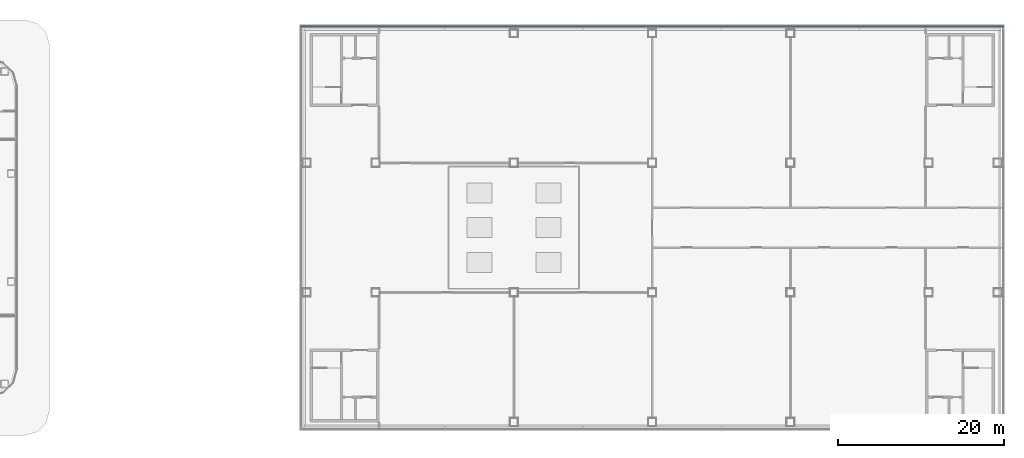
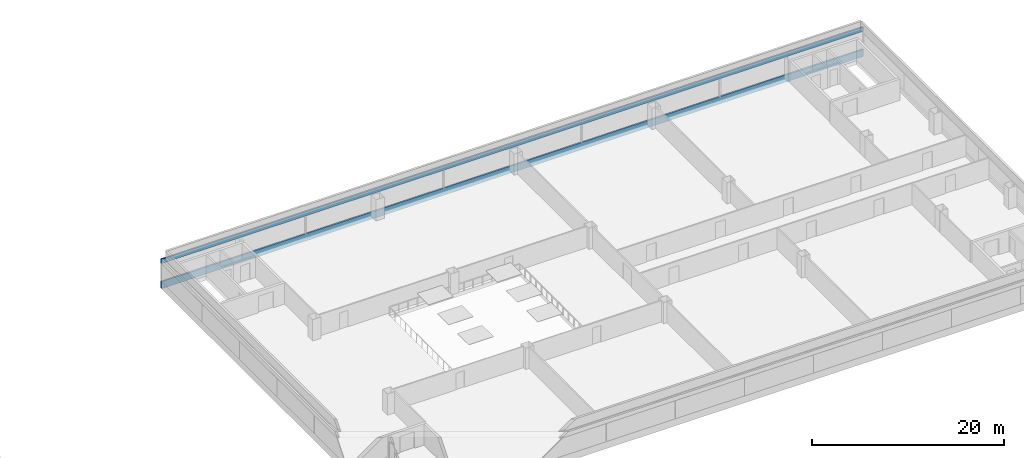
# One storey, part 17 of 42: 2 members, 1 element without a shape of its own.
"""IFC4 building model written with IfcOpenShell, lengths in metres."""

from ifc_helpers import new_model, si_unit, direction, frame, origin, origin_2d, place, context, subcontext, project, spatial, rectangle, extrude, material, layer, layer_set, material_profile, profile_set, type_object, element, aggregate, save


model = new_model("IFC4")

# Units and contexts
model_context = context("Model", 3, precision=1e-05, world=origin(), true_north=direction((0.0, 1.0)))
body_context = subcontext(model_context, "Body", "Model", "MODEL_VIEW")
ifc_project = project(units=[si_unit("LENGTHUNIT", "METRE"), si_unit("AREAUNIT", "SQUARE_METRE"), si_unit("VOLUMEUNIT", "CUBIC_METRE"), si_unit("PLANEANGLEUNIT", "RADIAN"), si_unit("MASSUNIT", "GRAM", prefix="KILO")], contexts=[model_context])

# Site, building, storey
site_placement = place(None, origin())
site = spatial("IfcSite", under=ifc_project, at=site_placement, CompositionType="ELEMENT")
building_placement = place(site_placement, origin())
building = spatial("IfcBuilding", under=site, at=building_placement, Name="Hakoniwa Tower and Hamabe Station Hall", CompositionType="ELEMENT")
storey_placement = place(building_placement, frame((0.0, 0.0, 19.800048828125)))
storey = spatial("IfcBuildingStorey", under=building, at=storey_placement, Name="L04", CompositionType="ELEMENT", Elevation=19.800048828125)

# Curtain wall, members
ifc_material_1 = material(Name="Dark low-e laminated glass", Category="glass")
ifc_layer = layer(ifc_material_1, 0.199951171875)
ifc_layer_set = layer_set([ifc_layer], Name="CW-7 STATION")
curtain_wall_type = type_object("IfcCurtainWallType", Name="CW-7 STATION", PredefinedType="NOTDEFINED", material=ifc_layer_set)
curtain_wall_placement = place(storey_placement, origin())
curtain_wall = element("IfcCurtainWall", 1, at=curtain_wall_placement, inside=storey, type_object=curtain_wall_type, Name="Station curtain wall L04 north", PredefinedType="NOTDEFINED")
ifc_material_2 = material(Name="Aluminium 6063-T5 black anodised", Category="aluminium")
ifc_material_profile_1 = material_profile(ifc_material_2, rectangle(XDim=0.199951171875, YDim=0.550048828125, at=origin_2d()), Name="CW HEAD BAND 550X200")
ifc_profile_set_1 = profile_set([ifc_material_profile_1], Name="Aluminium 6063-T5 black anodised")
member_type_1 = type_object("IfcMemberType", Name="CW HEAD BAND 550X200", PredefinedType="USERDEFINED", material=ifc_profile_set_1)
member_1_placement = place(storey_placement, frame((169.85009765625, 24.199951171875, 2.925048828125), z_axis=(-1.0, 0.0, 0.0), x_axis=(0.0, -1.0, 0.0)))
member_1 = element("IfcMember", 2, at=member_1_placement, type_object=member_type_1, Name="CW-7 transom", ObjectType="TRANSOM", PredefinedType="USERDEFINED", context=body_context, shape_type="SweptSolid", body=[
    extrude(rectangle(XDim=0.199951171875, YDim=0.550048828125, at=origin_2d()), origin(), (0.0, 0.0, 1.0), 84.60009765625),
])
ifc_material_3 = material(Name="Aluminium 6063-T5 black anodised", Category="aluminium")
ifc_material_profile_2 = material_profile(ifc_material_3, rectangle(XDim=0.199951171875, YDim=0.89990234375, at=origin_2d()), Name="CW SLAB-EDGE BAND 900X200")
ifc_profile_set_2 = profile_set([ifc_material_profile_2], Name="Aluminium 6063-T5 black anodised")
member_type_2 = type_object("IfcMemberType", Name="CW SLAB-EDGE BAND 900X200", PredefinedType="USERDEFINED", material=ifc_profile_set_2)
member_2_placement = place(storey_placement, frame((169.85009765625, 24.199951171875, -0.10009765625), z_axis=(-1.0, 0.0, 0.0), x_axis=(0.0, -1.0, 0.0)))
member_2 = element("IfcMember", 3, at=member_2_placement, type_object=member_type_2, Name="CW-7 transom", ObjectType="TRANSOM", PredefinedType="USERDEFINED", context=body_context, shape_type="SweptSolid", body=[
    extrude(rectangle(XDim=0.199951171875, YDim=0.89990234375, at=origin_2d()), origin(), (0.0, 0.0, 1.0), 84.60009765625),
])
aggregate(curtain_wall, [member_2, member_1])

save(model, "model.ifc")
